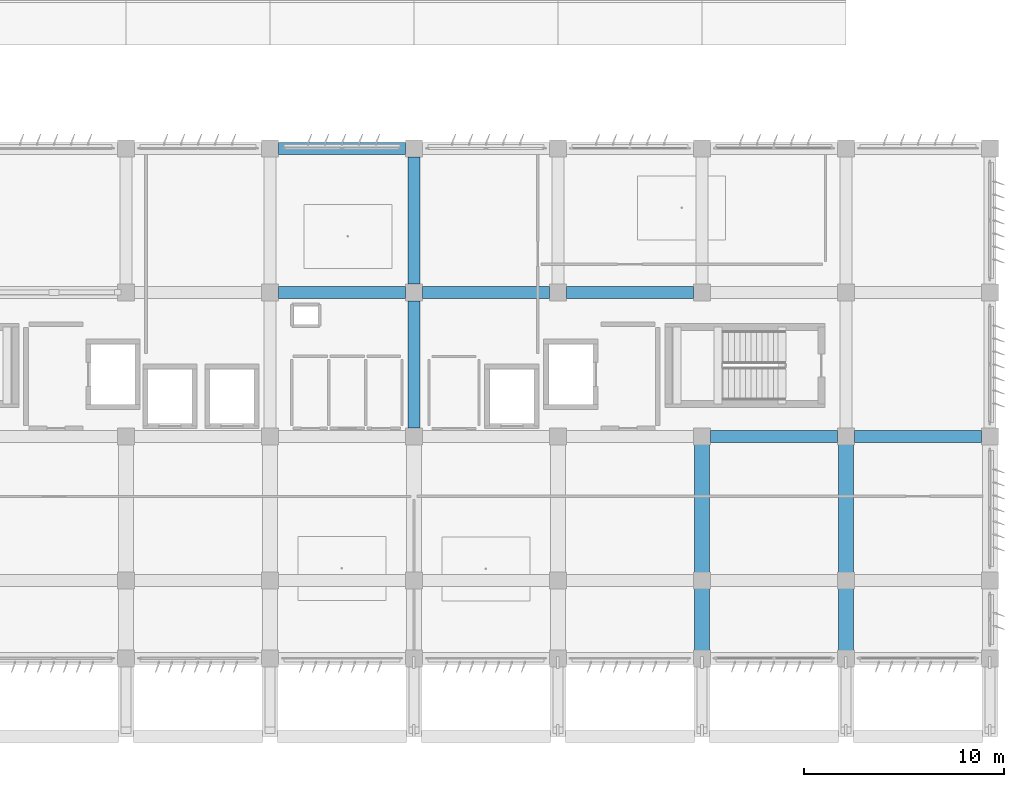
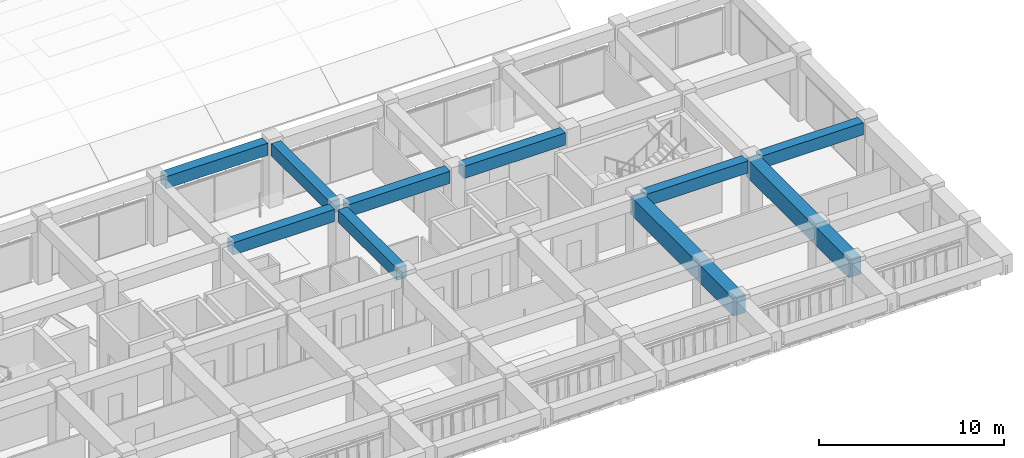
# One storey, part 21 of 56: 10 beams.
"""IFC4 building model written with IfcOpenShell, lengths in metres."""

from ifc_helpers import new_model, si_unit, direction, frame, origin, origin_2d, place, context, subcontext, project, spatial, rectangle, extrude, material, material_profile, profile_set, type_object, element, save


model = new_model("IFC4")

# Units and contexts
model_context = context("Model", 3, precision=1e-05, world=origin(), true_north=direction((0.0, 1.0)))
body_context = subcontext(model_context, "Body", "Model", "MODEL_VIEW")
ifc_project = project(units=[si_unit("LENGTHUNIT", "METRE"), si_unit("AREAUNIT", "SQUARE_METRE"), si_unit("VOLUMEUNIT", "CUBIC_METRE"), si_unit("PLANEANGLEUNIT", "RADIAN"), si_unit("MASSUNIT", "GRAM", prefix="KILO")], contexts=[model_context])

# Site, building, storey
site_placement = place(None, origin())
site = spatial("IfcSite", under=ifc_project, at=site_placement, CompositionType="ELEMENT")
building_placement = place(site_placement, origin())
building = spatial("IfcBuilding", under=site, at=building_placement, Name="Kazehaya Institute of Natural Sciences", CompositionType="ELEMENT")
storey_placement = place(building_placement, frame((0.0, 0.0, 24.300048828125)))
storey = spatial("IfcBuildingStorey", under=building, at=storey_placement, Name="L05", CompositionType="ELEMENT", Elevation=24.300048828125)

# Beams
ifc_material_1 = material(Name="Concrete Fc36", Category="concrete")
ifc_material_profile_1 = material_profile(ifc_material_1, rectangle(XDim=0.60009765625, YDim=0.800048828125, at=origin_2d()), Name="RC-600x800")
ifc_profile_set_1 = profile_set([ifc_material_profile_1], Name="Concrete Fc36")
beam_type_1 = type_object("IfcBeamType", Name="BM-G-600x800", PredefinedType="BEAM", material=ifc_profile_set_1)
beam_1_placement = place(storey_placement, frame((105.425048828125, 21.199951171875, 3.829833984375), z_axis=(1.0, 0.0, 0.0), x_axis=(0.0, 1.0, 0.0)))
element("IfcBeam", 1, at=beam_1_placement, inside=storey, type_object=beam_type_1, Name="L05 primary X girder BMX-L05-1050-212", PredefinedType="BEAM", context=body_context, shape_type="SweptSolid", body=[
    extrude(rectangle(XDim=0.60009765625, YDim=0.800048828125, at=origin_2d()), origin(), (0.0, 0.0, 1.0), 6.349853515625),
])
for number, where, z_axis, x_axis, name in (
    (2, (112.625, 21.199951171875, 3.829833984375), (1.0, 0.0, 0.0), (0.0, 1.0, 0.0), "L05 primary X girder BMX-L05-1122-212"),
    (3, (83.824951171875, 28.39990234375, 3.829833984375), (1.0, 0.0, 0.0), (0.0, 1.0, 0.0), "L05 primary X girder BMX-L05-834-284"),
    (4, (91.02490234375, 28.39990234375, 3.829833984375), (1.0, 0.0, 0.0), (0.0, 1.0, 0.0), "L05 primary X girder BMX-L05-906-284"),
):
    element("IfcBeam", number, at=place(storey_placement, frame(where, z_axis=z_axis, x_axis=x_axis)), inside=storey, type_object=beam_type_1, Name=name, PredefinedType="BEAM", context=body_context, shape_type="SweptSolid", body=[
        extrude(rectangle(XDim=0.60009765625, YDim=0.800048828125, at=origin_2d()), origin(), (0.0, 0.0, 1.0), 6.35009765625),
    ])
beam_2_placement = place(storey_placement, frame((98.22509765625, 28.39990234375, 3.829833984375), z_axis=(1.0, 0.0, 0.0), x_axis=(0.0, 1.0, 0.0)))
element("IfcBeam", 5, at=beam_2_placement, inside=storey, type_object=beam_type_1, Name="L05 primary X girder BMX-L05-978-284", PredefinedType="BEAM", context=body_context, shape_type="SweptSolid", body=[
    extrude(rectangle(XDim=0.60009765625, YDim=0.800048828125, at=origin_2d()), origin(), (0.0, 0.0, 1.0), 6.349853515625),
])
for number, where, z_axis, x_axis, name in (
    (6, (83.824951171875, 35.60009765625, 3.829833984375), (1.0, 0.0, 0.0), (0.0, 1.0, 0.0), "L05 primary X girder BMX-L05-834-356"),
    (7, (90.60009765625, 21.625, 3.829833984375), (0.0, 1.0, 0.0), (-1.0, 0.0, 0.0), "L05 primary Y girder BMY-L05-906-212"),
    (8, (90.60009765625, 28.824951171875, 3.829833984375), (0.0, 1.0, 0.0), (-1.0, 0.0, 0.0), "L05 primary Y girder BMY-L05-906-284"),
):
    element("IfcBeam", number, at=place(storey_placement, frame(where, z_axis=z_axis, x_axis=x_axis)), inside=storey, type_object=beam_type_1, Name=name, PredefinedType="BEAM", context=body_context, shape_type="SweptSolid", body=[
        extrude(rectangle(XDim=0.60009765625, YDim=0.800048828125, at=origin_2d()), origin(), (0.0, 0.0, 1.0), 6.35009765625),
    ])
ifc_material_2 = material(Name="Concrete Fc42", Category="concrete")
ifc_material_profile_2 = material_profile(ifc_material_2, rectangle(XDim=0.75, YDim=1.199951171875, at=origin_2d()), Name="RC-750x1200")
ifc_profile_set_2 = profile_set([ifc_material_profile_2], Name="Concrete Fc42")
beam_type_2 = type_object("IfcBeamType", Name="BM-TG-750x1200", PredefinedType="BEAM", material=ifc_profile_set_2)
for number, where, z_axis, x_axis, name in (
    (9, (105.0, 10.10009765625, 3.6298828125), (0.0, 1.0, 0.0), (-1.0, 0.0, 0.0), "L05 transfer girder back-span 1751"),
    (10, (112.199951171875, 10.10009765625, 3.6298828125), (0.0, 1.0, 0.0), (-1.0, 0.0, 0.0), "L05 transfer girder back-span 1760"),
):
    element("IfcBeam", number, at=place(storey_placement, frame(where, z_axis=z_axis, x_axis=x_axis)), inside=storey, type_object=beam_type_2, Name=name, PredefinedType="BEAM", context=body_context, shape_type="SweptSolid", body=[
        extrude(rectangle(XDim=0.75, YDim=1.199951171875, at=origin_2d()), origin(), (0.0, 0.0, 1.0), 11.099853515625),
    ])

save(model, "model.ifc")
